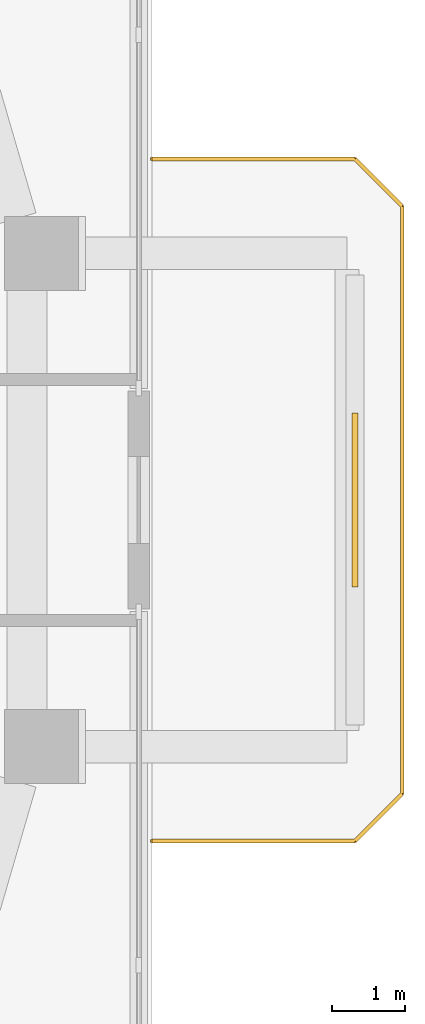
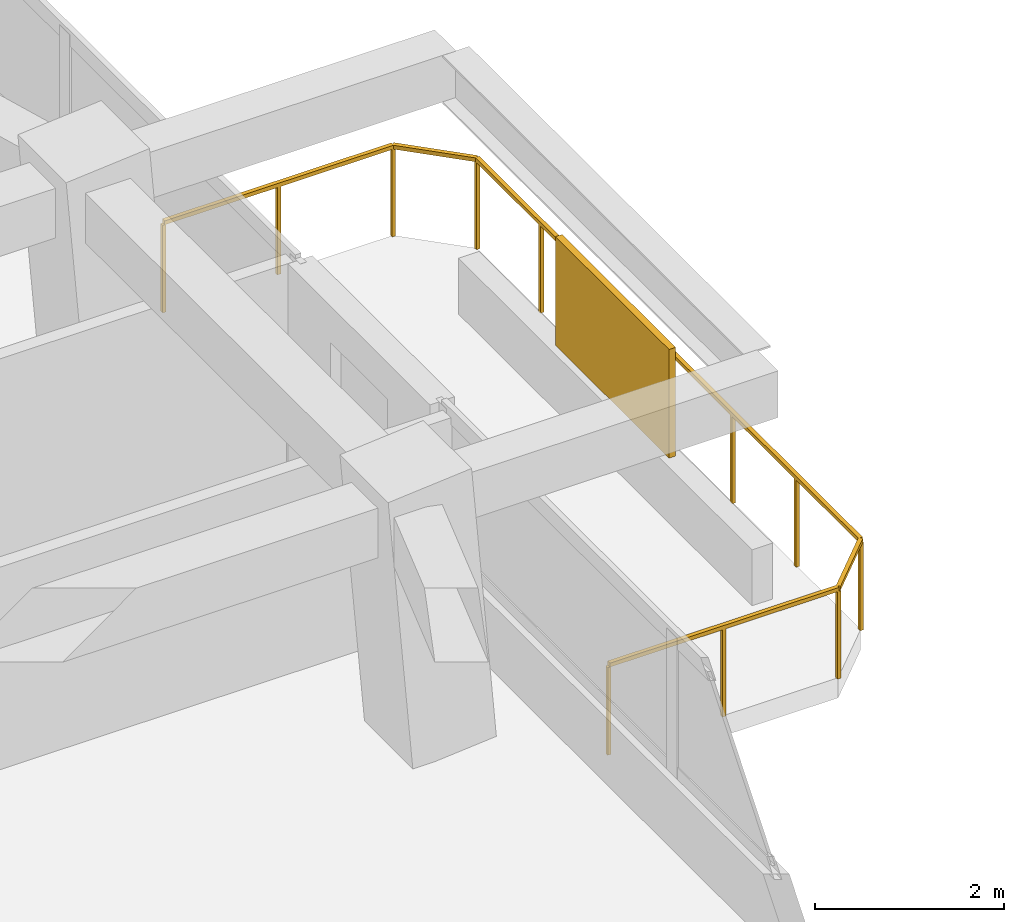
# One storey, part 15 of 15: 1 railing, 1 shading device.
"""IFC4 building model written with IfcOpenShell, lengths in metres."""

from ifc_helpers import new_model, si_unit, derived_unit, direction, frame, origin, origin_2d, place, context, subcontext, project, spatial, rectangle, extrude, material, layer, layer_set, type_object, element, save


model = new_model("IFC4")

# Units and contexts
model_context = context("Model", 3, precision=1e-05, world=origin(), true_north=direction((0.0, 1.0)))
body_context = subcontext(model_context, "Body", "Model", "MODEL_VIEW")
ifc_project = project(units=[si_unit("LENGTHUNIT", "METRE"), si_unit("AREAUNIT", "SQUARE_METRE"), si_unit("VOLUMEUNIT", "CUBIC_METRE"), si_unit("PLANEANGLEUNIT", "RADIAN"), si_unit("MASSUNIT", "GRAM", prefix="KILO"), derived_unit("THERMALTRANSMITTANCEUNIT", [(si_unit("POWERUNIT", "WATT"), 1), (si_unit("LENGTHUNIT", "METRE"), -2), (si_unit("THERMODYNAMICTEMPERATUREUNIT", "KELVIN"), -1)])], contexts=[model_context])

# Site, building, storey
site_placement = place(None, origin())
site = spatial("IfcSite", under=ifc_project, at=site_placement, CompositionType="ELEMENT")
building_placement = place(site_placement, origin())
building = spatial("IfcBuilding", under=site, at=building_placement, Name="Koralith Skygarden Medical Center", CompositionType="ELEMENT")
storey_placement = place(building_placement, frame((0.0, 0.0, 91.97998046875)))
storey = spatial("IfcBuildingStorey", under=building, at=storey_placement, Name="L23", CompositionType="ELEMENT", Elevation=91.97998046875)

# Railing
ifc_material_1 = material(Name="Steel ASTM A500 Grade C", Category="steel")
railing_type = type_object("IfcRailingType", Name="Outdoor Terrace & Balcony Safety Guardrail 1180", PredefinedType="GUARDRAIL", material=ifc_material_1)
railing_placement = place(storey_placement, frame((63.596923828125, 21.199951171875, 0.0)))
element("IfcRailing", 1, at=railing_placement, inside=storey, type_object=railing_type, Name="L23 E Balcony Perimeter Guardrail", PredefinedType="GUARDRAIL", context=body_context, shape_type="SweptSolid", body=[
    extrude(rectangle(XDim=0.050048828125, YDim=0.050048828125, at=origin_2d()), frame((0.001953125, 0.0, 1.15478515625), z_axis=(1.0, 0.0, 0.0), x_axis=(0.0, 1.0, 0.0)), (0.0, 0.0, 1.0), 2.796142578125),
    extrude(rectangle(XDim=0.050048828125, YDim=0.050048828125, at=origin_2d()), frame((2.801513671875, 0.00146484375, 1.15478515625), z_axis=(0.707106781187, 0.707106781187, 0.0), x_axis=(-0.707106781187, 0.707106781187, 0.0)), (0.0, 0.0, 1.0), 0.91552734375),
    extrude(rectangle(XDim=0.050048828125, YDim=0.050048828125, at=origin_2d()), frame((3.4501953125, 0.652099609375, 1.15478515625), z_axis=(0.0, 1.0, 0.0), x_axis=(-1.0, 0.0, 0.0)), (0.0, 0.0, 1.0), 8.095947265625),
    extrude(rectangle(XDim=0.050048828125, YDim=0.050048828125, at=origin_2d()), frame((3.44873046875, 8.75146484375, 1.15478515625), z_axis=(-0.707106781187, 0.707106781187, 0.0), x_axis=(-0.707106781187, -0.707106781187, 0.0)), (0.0, 0.0, 1.0), 0.91552734375),
    extrude(rectangle(XDim=0.050048828125, YDim=0.050048828125, at=origin_2d()), frame((2.798095703125, 9.400146484375, 1.15478515625), z_axis=(-1.0, 0.0, 0.0), x_axis=(0.0, -1.0, 0.0)), (0.0, 0.0, 1.0), 2.796142578125),
    extrude(rectangle(XDim=0.0419921875, YDim=0.0419921875, at=origin_2d()), origin(), (0.0, 0.0, 1.0), 1.1279296875),
    extrude(rectangle(XDim=0.0419921875, YDim=0.0419921875, at=origin_2d()), frame((1.39990234375, 0.0, 0.0)), (0.0, 0.0, 1.0), 1.1279296875),
    extrude(rectangle(XDim=0.0419921875, YDim=0.0419921875, at=origin_2d()), frame((2.800048828125, 0.0, 0.0)), (0.0, 0.0, 1.0), 1.1279296875),
    extrude(rectangle(XDim=0.0419921875, YDim=0.0419921875, at=origin_2d()), frame((3.4501953125, 0.650146484375, 0.0)), (0.0, 0.0, 1.0), 1.1279296875),
    extrude(rectangle(XDim=0.0419921875, YDim=0.0419921875, at=origin_2d()), frame((3.4501953125, 2.0, 0.0)), (0.0, 0.0, 1.0), 1.1279296875),
    extrude(rectangle(XDim=0.0419921875, YDim=0.0419921875, at=origin_2d()), frame((3.4501953125, 3.35009765625, 0.0)), (0.0, 0.0, 1.0), 1.1279296875),
    extrude(rectangle(XDim=0.0419921875, YDim=0.0419921875, at=origin_2d()), frame((3.4501953125, 4.7001953125, 0.0)), (0.0, 0.0, 1.0), 1.1279296875),
    extrude(rectangle(XDim=0.0419921875, YDim=0.0419921875, at=origin_2d()), frame((3.4501953125, 6.050048828125, 0.0)), (0.0, 0.0, 1.0), 1.1279296875),
    extrude(rectangle(XDim=0.0419921875, YDim=0.0419921875, at=origin_2d()), frame((3.4501953125, 7.39990234375, 0.0)), (0.0, 0.0, 1.0), 1.1279296875),
    extrude(rectangle(XDim=0.0419921875, YDim=0.0419921875, at=origin_2d()), frame((3.4501953125, 8.75, 0.0)), (0.0, 0.0, 1.0), 1.1279296875),
    extrude(rectangle(XDim=0.0419921875, YDim=0.0419921875, at=origin_2d()), frame((2.800048828125, 9.400146484375, 0.0)), (0.0, 0.0, 1.0), 1.1279296875),
    extrude(rectangle(XDim=0.0419921875, YDim=0.0419921875, at=origin_2d()), frame((1.39990234375, 9.400146484375, 0.0)), (0.0, 0.0, 1.0), 1.1279296875),
    extrude(rectangle(XDim=0.0419921875, YDim=0.0419921875, at=origin_2d()), frame((0.0, 9.400146484375, 0.0)), (0.0, 0.0, 1.0), 1.1279296875),
])

# Shading device
ifc_material_2 = material(Name="Aluminium 6063-T6", Category="aluminium")
ifc_layer = layer(ifc_material_2, 0.080078125)
ifc_layer_set = layer_set([ifc_layer], Name="Aluminium 6063-T6")
shading_device_type = type_object("IfcShadingDeviceType", Name="Perforated Biophilic Balcony Trellis Screen", PredefinedType="USERDEFINED", material=ifc_layer_set)
shading_device_placement = place(storey_placement, frame((66.39697265625, 25.89990234375, 0.719970703125), z_axis=(0.0, 0.0, 1.0), x_axis=(0.0, 1.0, 0.0)))
element("IfcShadingDevice", 2, at=shading_device_placement, inside=storey, type_object=shading_device_type, Name="L23 E Biophilic Balcony Trellis Screen", ObjectType="HURRICANE SCREEN", PredefinedType="USERDEFINED", context=body_context, shape_type="SweptSolid", body=[
    extrude(rectangle(XDim=2.39990234375, YDim=0.080078125, at=origin_2d()), origin(), (0.0, 0.0, 1.0), 1.39990234375),
])

save(model, "model.ifc")
